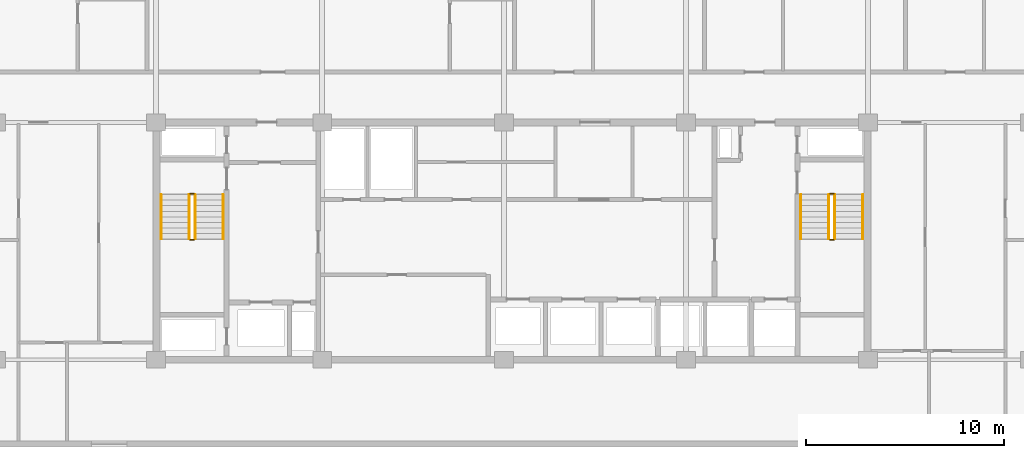
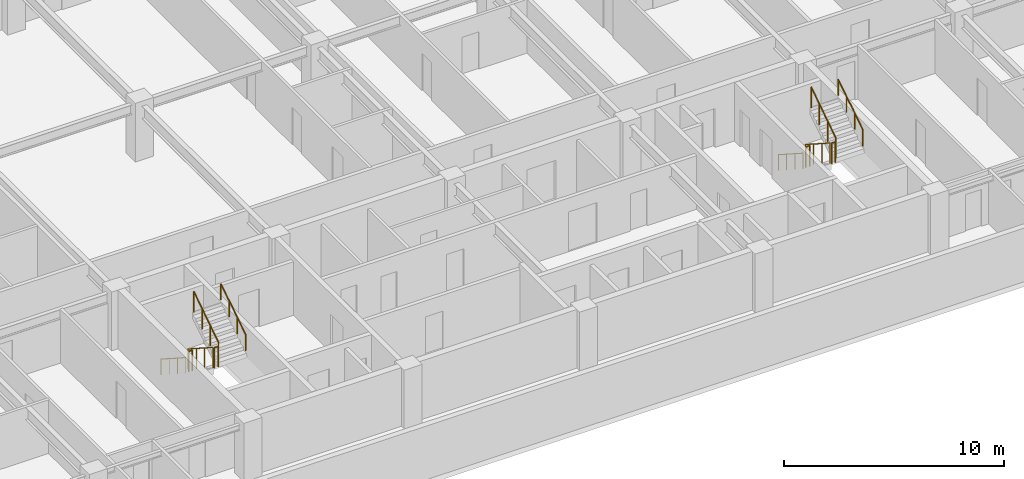
# One storey, part 20 of 21: 12 railings.
"""IFC4 building model written with IfcOpenShell, lengths in metres."""

from ifc_helpers import new_model, si_unit, direction, frame, origin, origin_2d, place, context, subcontext, project, spatial, circle, extrude, material, type_object, element, save


model = new_model("IFC4")

# Units and contexts
model_context = context("Model", 3, precision=1e-05, world=origin(), true_north=direction((0.0, 1.0)))
body_context = subcontext(model_context, "Body", "Model", "MODEL_VIEW")
ifc_project = project(units=[si_unit("LENGTHUNIT", "METRE"), si_unit("AREAUNIT", "SQUARE_METRE"), si_unit("VOLUMEUNIT", "CUBIC_METRE"), si_unit("PLANEANGLEUNIT", "RADIAN"), si_unit("MASSUNIT", "GRAM", prefix="KILO")], contexts=[model_context])

# Site, building, storey
site_placement = place(None, origin())
site = spatial("IfcSite", under=ifc_project, at=site_placement, CompositionType="ELEMENT")
building_placement = place(site_placement, origin())
building = spatial("IfcBuilding", under=site, at=building_placement, Name="Korimba Cascade Residences", CompositionType="ELEMENT")
storey_placement = place(building_placement, frame((0.0, 0.0, 103.550048828125)))
storey = spatial("IfcBuildingStorey", under=building, at=storey_placement, Name="L29", CompositionType="ELEMENT", Elevation=103.550048828125)

# Railings
ifc_material_1 = material(Name="Painted Steel Stairwell Guardrail", Category="steel")
railing_type_1 = type_object("IfcRailingType", Name="RLG-ST-GD1150", PredefinedType="GUARDRAIL", material=ifc_material_1)
railing_1_placement = place(storey_placement, frame((77.77001953125, 63.550048828125, 0.180419921875)))
element("IfcRailing", 1, at=railing_1_placement, inside=storey, type_object=railing_type_1, Name="L29 ST-W1 stair guard 1", PredefinedType="GUARDRAIL", context=body_context, shape_type="SweptSolid", body=[
    extrude(circle(Radius=0.02392578125, at=origin_2d()), frame((0.0, 0.0, 1.1259765625), z_axis=(0.0, -0.840394893359, 0.541974559565), x_axis=(1.0, 0.0, 0.0)), (0.0, 0.0, 1.0), 2.665283203125),
    extrude(circle(Radius=0.02099609375, at=origin_2d()), origin(), (0.0, 0.0, 1.0), 1.101806640625),
    extrude(circle(Radius=0.02099609375, at=origin_2d()), frame((0.0, -0.74658203125, 0.4814453125)), (0.0, 0.0, 1.0), 1.101806640625),
    extrude(circle(Radius=0.02099609375, at=origin_2d()), frame((0.0, -1.493408203125, 0.963134765625)), (0.0, 0.0, 1.0), 1.101806640625),
    extrude(circle(Radius=0.02099609375, at=origin_2d()), frame((0.0, -2.239990234375, 1.444580078125)), (0.0, 0.0, 1.0), 1.101806640625),
])
railing_2_placement = place(storey_placement, frame((77.820068359375, 61.260009765625, 1.625)))
element("IfcRailing", 2, at=railing_2_placement, inside=storey, type_object=railing_type_1, Name="L29 ST-W1 stair guard 2", PredefinedType="GUARDRAIL", context=body_context, shape_type="SweptSolid", body=[
    extrude(circle(Radius=0.02392578125, at=origin_2d()), frame((0.0, 0.0, 1.1259765625), z_axis=(1.0, 0.0, 0.0), x_axis=(0.0, 1.0, 0.0)), (0.0, 0.0, 1.0), 0.199951171875),
    extrude(circle(Radius=0.02099609375, at=origin_2d()), origin(), (0.0, 0.0, 1.0), 1.101806640625),
    extrude(circle(Radius=0.02099609375, at=origin_2d()), frame((0.199951171875, 0.0, 0.0)), (0.0, 0.0, 1.0), 1.101806640625),
])
railing_3_placement = place(storey_placement, frame((78.070068359375, 61.31005859375, 1.805419921875)))
element("IfcRailing", 3, at=railing_3_placement, inside=storey, type_object=railing_type_1, Name="L29 ST-W1 stair guard 3", PredefinedType="GUARDRAIL", context=body_context, shape_type="SweptSolid", body=[
    extrude(circle(Radius=0.02392578125, at=origin_2d()), frame((0.0, 0.0, 1.1259765625), z_axis=(0.0, 0.840394893359, 0.541974559565), x_axis=(-1.0, 0.0, 0.0)), (0.0, 0.0, 1.0), 2.665283203125),
    extrude(circle(Radius=0.02099609375, at=origin_2d()), origin(), (0.0, 0.0, 1.0), 1.101806640625),
    extrude(circle(Radius=0.02099609375, at=origin_2d()), frame((0.0, 0.74658203125, 0.4814453125)), (0.0, 0.0, 1.0), 1.101806640625),
    extrude(circle(Radius=0.02099609375, at=origin_2d()), frame((0.0, 1.493408203125, 0.963134765625)), (0.0, 0.0, 1.0), 1.101806640625),
    extrude(circle(Radius=0.02099609375, at=origin_2d()), frame((0.0, 2.239990234375, 1.444580078125)), (0.0, 0.0, 1.0), 1.101806640625),
])
railing_4_placement = place(storey_placement, frame((77.820068359375, 63.60009765625, 0.0)))
element("IfcRailing", 4, at=railing_4_placement, inside=storey, type_object=railing_type_1, Name="L29 ST-W1 stair guard 4", PredefinedType="GUARDRAIL", context=body_context, shape_type="SweptSolid", body=[
    extrude(circle(Radius=0.02392578125, at=origin_2d()), frame((0.0, 0.0, 1.1259765625), z_axis=(1.0, 0.0, 0.0), x_axis=(0.0, 1.0, 0.0)), (0.0, 0.0, 1.0), 0.199951171875),
    extrude(circle(Radius=0.02099609375, at=origin_2d()), origin(), (0.0, 0.0, 1.0), 1.101806640625),
    extrude(circle(Radius=0.02099609375, at=origin_2d()), frame((0.199951171875, 0.0, 0.0)), (0.0, 0.0, 1.0), 1.101806640625),
])
railing_5_placement = place(storey_placement, frame((110.1298828125, 63.550048828125, 0.180419921875)))
element("IfcRailing", 5, at=railing_5_placement, inside=storey, type_object=railing_type_1, Name="L29 ST-W2 stair guard 1", PredefinedType="GUARDRAIL", context=body_context, shape_type="SweptSolid", body=[
    extrude(circle(Radius=0.02392578125, at=origin_2d()), frame((0.0, 0.0, 1.1259765625), z_axis=(0.0, -0.840394893359, 0.541974559565), x_axis=(1.0, 0.0, 0.0)), (0.0, 0.0, 1.0), 2.665283203125),
    extrude(circle(Radius=0.02099609375, at=origin_2d()), origin(), (0.0, 0.0, 1.0), 1.101806640625),
    extrude(circle(Radius=0.02099609375, at=origin_2d()), frame((0.0, -0.74658203125, 0.4814453125)), (0.0, 0.0, 1.0), 1.101806640625),
    extrude(circle(Radius=0.02099609375, at=origin_2d()), frame((0.0, -1.493408203125, 0.963134765625)), (0.0, 0.0, 1.0), 1.101806640625),
    extrude(circle(Radius=0.02099609375, at=origin_2d()), frame((0.0, -2.239990234375, 1.444580078125)), (0.0, 0.0, 1.0), 1.101806640625),
])
railing_6_placement = place(storey_placement, frame((110.179931640625, 61.260009765625, 1.625)))
element("IfcRailing", 6, at=railing_6_placement, inside=storey, type_object=railing_type_1, Name="L29 ST-W2 stair guard 2", PredefinedType="GUARDRAIL", context=body_context, shape_type="SweptSolid", body=[
    extrude(circle(Radius=0.02392578125, at=origin_2d()), frame((0.0, 0.0, 1.1259765625), z_axis=(1.0, 0.0, 0.0), x_axis=(0.0, 1.0, 0.0)), (0.0, 0.0, 1.0), 0.199951171875),
    extrude(circle(Radius=0.02099609375, at=origin_2d()), origin(), (0.0, 0.0, 1.0), 1.101806640625),
    extrude(circle(Radius=0.02099609375, at=origin_2d()), frame((0.199951171875, 0.0, 0.0)), (0.0, 0.0, 1.0), 1.101806640625),
])
railing_7_placement = place(storey_placement, frame((110.429931640625, 61.31005859375, 1.805419921875)))
element("IfcRailing", 7, at=railing_7_placement, inside=storey, type_object=railing_type_1, Name="L29 ST-W2 stair guard 3", PredefinedType="GUARDRAIL", context=body_context, shape_type="SweptSolid", body=[
    extrude(circle(Radius=0.02392578125, at=origin_2d()), frame((0.0, 0.0, 1.1259765625), z_axis=(0.0, 0.840394893359, 0.541974559565), x_axis=(-1.0, 0.0, 0.0)), (0.0, 0.0, 1.0), 2.665283203125),
    extrude(circle(Radius=0.02099609375, at=origin_2d()), origin(), (0.0, 0.0, 1.0), 1.101806640625),
    extrude(circle(Radius=0.02099609375, at=origin_2d()), frame((0.0, 0.74658203125, 0.4814453125)), (0.0, 0.0, 1.0), 1.101806640625),
    extrude(circle(Radius=0.02099609375, at=origin_2d()), frame((0.0, 1.493408203125, 0.963134765625)), (0.0, 0.0, 1.0), 1.101806640625),
    extrude(circle(Radius=0.02099609375, at=origin_2d()), frame((0.0, 2.239990234375, 1.444580078125)), (0.0, 0.0, 1.0), 1.101806640625),
])
railing_8_placement = place(storey_placement, frame((110.179931640625, 63.60009765625, 0.0)))
element("IfcRailing", 8, at=railing_8_placement, inside=storey, type_object=railing_type_1, Name="L29 ST-W2 stair guard 4", PredefinedType="GUARDRAIL", context=body_context, shape_type="SweptSolid", body=[
    extrude(circle(Radius=0.02392578125, at=origin_2d()), frame((0.0, 0.0, 1.1259765625), z_axis=(1.0, 0.0, 0.0), x_axis=(0.0, 1.0, 0.0)), (0.0, 0.0, 1.0), 0.199951171875),
    extrude(circle(Radius=0.02099609375, at=origin_2d()), origin(), (0.0, 0.0, 1.0), 1.101806640625),
    extrude(circle(Radius=0.02099609375, at=origin_2d()), frame((0.199951171875, 0.0, 0.0)), (0.0, 0.0, 1.0), 1.101806640625),
])
ifc_material_2 = material(Name="Brushed Stainless Steel Handrail", Category="steel")
railing_type_2 = type_object("IfcRailingType", Name="RLG-ST-HR900", PredefinedType="HANDRAIL", material=ifc_material_2)
railing_9_placement = place(storey_placement, frame((76.35009765625, 63.550048828125, 0.364990234375)))
element("IfcRailing", 9, at=railing_9_placement, inside=storey, type_object=railing_type_2, Name="L29 ST-W1 stair handrail 1", PredefinedType="HANDRAIL", context=body_context, shape_type="SweptSolid", body=[
    extrude(circle(Radius=0.02392578125, at=origin_2d()), frame((0.0, 0.0, 0.8759765625), z_axis=(0.0, -0.840436612492, 0.541909863706), x_axis=(1.0, 0.0, 0.0)), (0.0, 0.0, 1.0), 2.665283203125),
    extrude(circle(Radius=0.02099609375, at=origin_2d()), origin(), (0.0, 0.0, 1.0), 0.851806640625),
    extrude(circle(Radius=0.02099609375, at=origin_2d()), frame((0.0, -0.74658203125, 0.4814453125)), (0.0, 0.0, 1.0), 0.851806640625),
    extrude(circle(Radius=0.02099609375, at=origin_2d()), frame((0.0, -1.493408203125, 0.962890625)), (0.0, 0.0, 1.0), 0.851806640625),
    extrude(circle(Radius=0.02099609375, at=origin_2d()), frame((0.0, -2.239990234375, 1.4443359375)), (0.0, 0.0, 1.0), 0.851806640625),
])
railing_10_placement = place(storey_placement, frame((79.489990234375, 61.31005859375, 1.989990234375)))
element("IfcRailing", 10, at=railing_10_placement, inside=storey, type_object=railing_type_2, Name="L29 ST-W1 stair handrail 2", PredefinedType="HANDRAIL", context=body_context, shape_type="SweptSolid", body=[
    extrude(circle(Radius=0.02392578125, at=origin_2d()), frame((0.0, 0.0, 0.8759765625), z_axis=(0.0, 0.840436612492, 0.541909863706), x_axis=(-1.0, 0.0, 0.0)), (0.0, 0.0, 1.0), 2.665283203125),
    extrude(circle(Radius=0.02099609375, at=origin_2d()), origin(), (0.0, 0.0, 1.0), 0.851806640625),
    extrude(circle(Radius=0.02099609375, at=origin_2d()), frame((0.0, 0.74658203125, 0.4814453125)), (0.0, 0.0, 1.0), 0.851806640625),
    extrude(circle(Radius=0.02099609375, at=origin_2d()), frame((0.0, 1.493408203125, 0.962890625)), (0.0, 0.0, 1.0), 0.851806640625),
    extrude(circle(Radius=0.02099609375, at=origin_2d()), frame((0.0, 2.239990234375, 1.4443359375)), (0.0, 0.0, 1.0), 0.851806640625),
])
railing_11_placement = place(storey_placement, frame((108.7099609375, 63.550048828125, 0.364990234375)))
element("IfcRailing", 11, at=railing_11_placement, inside=storey, type_object=railing_type_2, Name="L29 ST-W2 stair handrail 1", PredefinedType="HANDRAIL", context=body_context, shape_type="SweptSolid", body=[
    extrude(circle(Radius=0.02392578125, at=origin_2d()), frame((0.0, 0.0, 0.8759765625), z_axis=(0.0, -0.840436612492, 0.541909863706), x_axis=(1.0, 0.0, 0.0)), (0.0, 0.0, 1.0), 2.665283203125),
    extrude(circle(Radius=0.02099609375, at=origin_2d()), origin(), (0.0, 0.0, 1.0), 0.851806640625),
    extrude(circle(Radius=0.02099609375, at=origin_2d()), frame((0.0, -0.74658203125, 0.4814453125)), (0.0, 0.0, 1.0), 0.851806640625),
    extrude(circle(Radius=0.02099609375, at=origin_2d()), frame((0.0, -1.493408203125, 0.962890625)), (0.0, 0.0, 1.0), 0.851806640625),
    extrude(circle(Radius=0.02099609375, at=origin_2d()), frame((0.0, -2.239990234375, 1.4443359375)), (0.0, 0.0, 1.0), 0.851806640625),
])
railing_12_placement = place(storey_placement, frame((111.85009765625, 61.31005859375, 1.989990234375)))
element("IfcRailing", 12, at=railing_12_placement, inside=storey, type_object=railing_type_2, Name="L29 ST-W2 stair handrail 2", PredefinedType="HANDRAIL", context=body_context, shape_type="SweptSolid", body=[
    extrude(circle(Radius=0.02392578125, at=origin_2d()), frame((0.0, 0.0, 0.8759765625), z_axis=(0.0, 0.840436612492, 0.541909863706), x_axis=(-1.0, 0.0, 0.0)), (0.0, 0.0, 1.0), 2.665283203125),
    extrude(circle(Radius=0.02099609375, at=origin_2d()), origin(), (0.0, 0.0, 1.0), 0.851806640625),
    extrude(circle(Radius=0.02099609375, at=origin_2d()), frame((0.0, 0.74658203125, 0.4814453125)), (0.0, 0.0, 1.0), 0.851806640625),
    extrude(circle(Radius=0.02099609375, at=origin_2d()), frame((0.0, 1.493408203125, 0.962890625)), (0.0, 0.0, 1.0), 0.851806640625),
    extrude(circle(Radius=0.02099609375, at=origin_2d()), frame((0.0, 2.239990234375, 1.4443359375)), (0.0, 0.0, 1.0), 0.851806640625),
])

save(model, "model.ifc")
